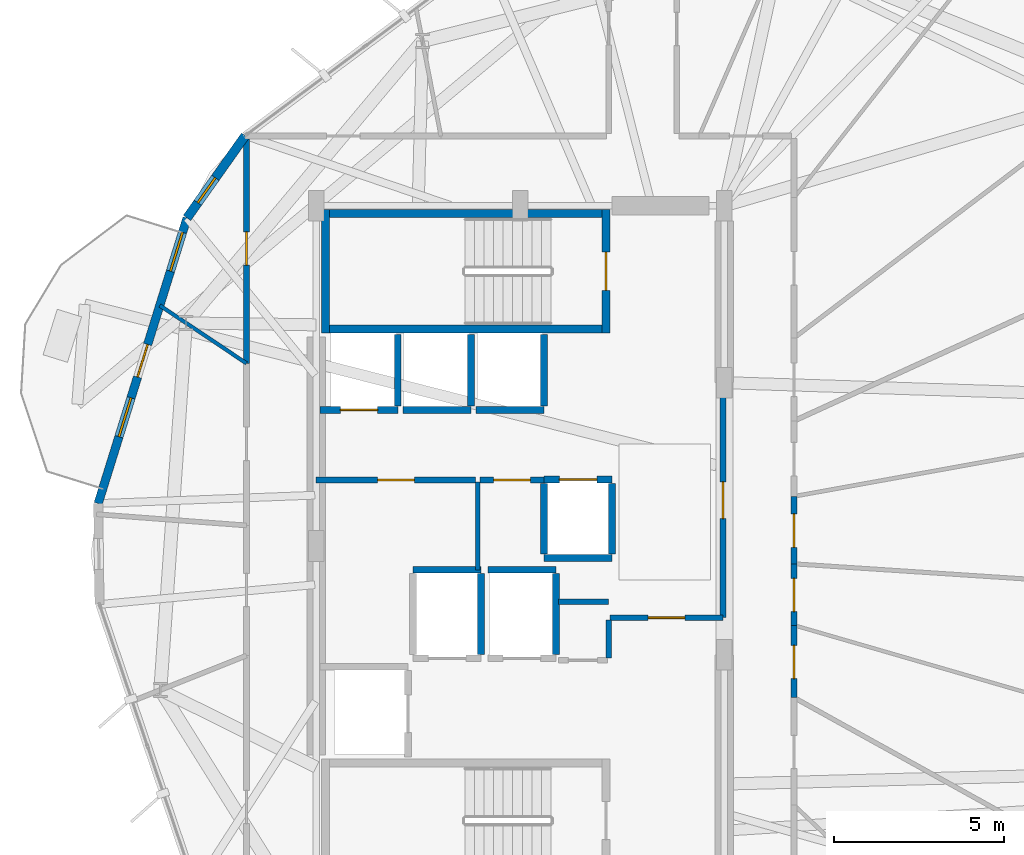
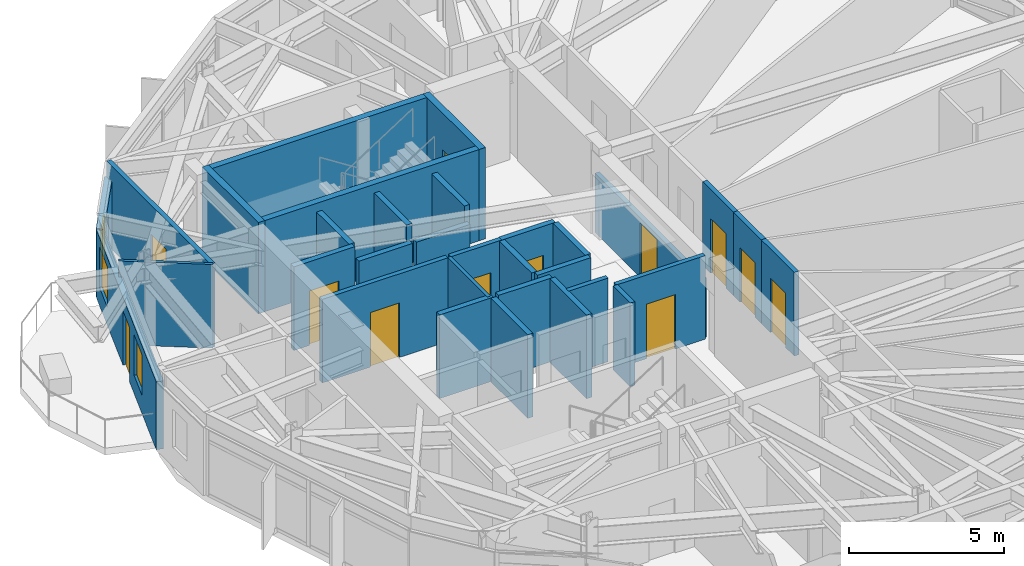
# One storey, part 22 of 27: 32 walls, 12 doors, 3 windows, 15 openings.
"""IFC4 building model written with IfcOpenShell, lengths in metres."""

from ifc_helpers import new_model, si_unit, direction, frame, frame_2d, origin, place, context, subcontext, project, spatial, rectangle, extrude, material, layer, layer_set, type_object, element, fill, save


model = new_model("IFC4")

# Units and contexts
model_context = context("Model", 3, precision=1e-05, world=origin(), true_north=direction((0.0, 1.0)))
body_context = subcontext(model_context, "Body", "Model", "MODEL_VIEW")
ifc_project = project(units=[si_unit("LENGTHUNIT", "METRE"), si_unit("AREAUNIT", "SQUARE_METRE"), si_unit("VOLUMEUNIT", "CUBIC_METRE"), si_unit("PLANEANGLEUNIT", "RADIAN"), si_unit("MASSUNIT", "GRAM", prefix="KILO")], contexts=[model_context])

# Site, building, storey
site_placement = place(None, origin())
site = spatial("IfcSite", under=ifc_project, at=site_placement, CompositionType="ELEMENT")
building_placement = place(site_placement, origin())
building = spatial("IfcBuilding", under=site, at=building_placement, Name="Soratama Intermodal Tower", CompositionType="ELEMENT")
storey_placement = place(building_placement, frame((0.0, 0.0, 167.800048828125)))
storey = spatial("IfcBuildingStorey", under=building, at=storey_placement, Name="L41", CompositionType="ELEMENT", Elevation=167.800048828125)

# Wall, openings, door, windows
ifc_material_1 = material(Name="Concrete f'c 42 MPa", Category="concrete")
ifc_layer_1 = layer(ifc_material_1, 0.25)
ifc_layer_set_1 = layer_set([ifc_layer_1], Name="Concrete f'c 42 MPa")
wall_type_1 = type_object("IfcWallType", Name="EW-BAL-250", PredefinedType="SOLIDWALL", material=ifc_layer_set_1)
wall_1_placement = place(storey_placement, frame((28.803955078125, 34.641845703125, 0.0), z_axis=(0.0, 0.0, 1.0), x_axis=(-0.297052486457, -0.954861152362, 0.0)))
wall_1 = element("IfcWall", 1, at=wall_1_placement, inside=storey, type_object=wall_type_1, Name="L41 Terrace Wall F04", PredefinedType="SOLIDWALL", context=body_context, shape_type="SweptSolid", body=[
    extrude(rectangle(XDim=8.79150390625, YDim=0.25, at=frame_2d((4.395751953125, 0.0))), origin(), (0.0, 0.0, 1.0), 2.678955078125),
])
opening_1_placement = place(wall_1_placement, frame((3.89599609375, 0.0, 0.0)))
opening_1 = element("IfcOpeningElement", 2, at=opening_1_placement, cuts=wall_1, Name="Opening ED-2", PredefinedType="OPENING", context=body_context, shape_type="SweptSolid", body=[
    extrude(rectangle(XDim=1.0, YDim=2.14990234375, at=frame_2d((0.5, 1.074951171875))), frame((0.0, 0.135009765625, 0.0), z_axis=(0.0, -1.0, 0.0), x_axis=(1.0, 0.0, 0.0)), (0.0, 0.0, 1.0), 0.27001953125),
])
opening_2_placement = place(wall_1_placement, frame((0.43994140625, 0.0, 0.719970703125)))
opening_2 = element("IfcOpeningElement", 3, at=opening_2_placement, cuts=wall_1, Name="Opening WN-2", PredefinedType="OPENING", context=body_context, shape_type="SweptSolid", body=[
    extrude(rectangle(XDim=1.199951171875, YDim=1.60009765625, at=frame_2d((0.60009765625, 0.800048828125))), frame((0.0, 0.135009765625, 0.0), z_axis=(0.0, -1.0, 0.0), x_axis=(1.0, 0.0, 0.0)), (0.0, 0.0, 1.0), 0.27001953125),
])
opening_3_placement = place(wall_1_placement, frame((5.535888671875, 0.0, 0.719970703125)))
opening_3 = element("IfcOpeningElement", 4, at=opening_3_placement, cuts=wall_1, Name="Opening WN-2", PredefinedType="OPENING", context=body_context, shape_type="SweptSolid", body=[
    extrude(rectangle(XDim=1.199951171875, YDim=1.60009765625, at=frame_2d((0.60009765625, 0.800048828125))), frame((0.0, 0.135009765625, 0.0), z_axis=(0.0, -1.0, 0.0), x_axis=(1.0, 0.0, 0.0)), (0.0, 0.0, 1.0), 0.27001953125),
])
ifc_material_2 = material(Name="Double-glazed aluminium door", Category="aluminium")
door_type_1 = type_object("IfcDoorType", Name="DR-BAL-1000", OperationType="NOTDEFINED", PredefinedType="DOOR", material=ifc_material_2)
door_1_placement = place(opening_1_placement, origin())
door_1 = element("IfcDoor", 5, at=door_1_placement, inside=storey, type_object=door_type_1, Name="L41 Balcony Door F04", OperationType="SINGLE_SWING_RIGHT", OverallHeight=2.14990234375, OverallWidth=1.0, PredefinedType="DOOR", context=body_context, shape_type="SweptSolid", body=[
    extrude(rectangle(XDim=1.0, YDim=2.14990234375, at=frame_2d((0.5, 1.074951171875))), frame((0.0, 0.02490234375, 0.0), z_axis=(0.0, -1.0, 0.0), x_axis=(1.0, 0.0, 0.0)), (0.0, 0.0, 1.0), 0.050048828125),
])
fill(opening_1, door_1)
ifc_material_3 = material(Name="Double-glazed aluminium window", Category="aluminium")
window_type_1 = type_object("IfcWindowType", Name="WN-FAC-1200", PartitioningType="SINGLE_PANEL", PredefinedType="WINDOW", material=ifc_material_3)
window_1_placement = place(opening_2_placement, origin())
window_1 = element("IfcWindow", 6, at=window_1_placement, inside=storey, type_object=window_type_1, Name="L41 Window A F04", OverallHeight=1.60009765625, OverallWidth=1.199951171875, PartitioningType="SINGLE_PANEL", PredefinedType="WINDOW", context=body_context, shape_type="SweptSolid", body=[
    extrude(rectangle(XDim=1.199951171875, YDim=1.60009765625, at=frame_2d((0.60009765625, 0.800048828125))), frame((0.0, 0.030029296875, 0.0), z_axis=(0.0, -1.0, 0.0), x_axis=(1.0, 0.0, 0.0)), (0.0, 0.0, 1.0), 0.06005859375),
])
fill(opening_2, window_1)
window_2_placement = place(opening_3_placement, origin())
window_2 = element("IfcWindow", 7, at=window_2_placement, inside=storey, type_object=window_type_1, Name="L41 Window B F04", OverallHeight=1.60009765625, OverallWidth=1.199951171875, PartitioningType="SINGLE_PANEL", PredefinedType="WINDOW", context=body_context, shape_type="SweptSolid", body=[
    extrude(rectangle(XDim=1.199951171875, YDim=1.60009765625, at=frame_2d((0.60009765625, 0.800048828125))), frame((0.0, 0.030029296875, 0.0), z_axis=(0.0, -1.0, 0.0), x_axis=(1.0, 0.0, 0.0)), (0.0, 0.0, 1.0), 0.06005859375),
])
fill(opening_3, window_2)

# Wall, opening, window
ifc_material_4 = material(Name="Concrete f'c 42 MPa", Category="concrete")
ifc_layer_2 = layer(ifc_material_4, 0.27001953125)
ifc_layer_set_2 = layer_set([ifc_layer_2], Name="Concrete f'c 42 MPa")
wall_type_2 = type_object("IfcWallType", Name="EW-CRN-270", PredefinedType="SOLIDWALL", material=ifc_layer_set_2)
wall_2_placement = place(storey_placement, frame((30.517333984375, 37.063720703125, 0.0), z_axis=(0.0, 0.0, 1.0), x_axis=(-0.577542313639, -0.816360751112, 0.0)))
wall_2 = element("IfcWall", 8, at=wall_2_placement, inside=storey, type_object=wall_type_2, Name="L41 Corner Closure Wall 03", PredefinedType="SOLIDWALL", context=body_context, shape_type="SweptSolid", body=[
    extrude(rectangle(XDim=2.966552734375, YDim=0.27001953125, at=frame_2d((1.4833984375, 0.0))), origin(), (0.0, 0.0, 1.0), 2.678955078125),
])
opening_4_placement = place(wall_2_placement, frame((1.519287109375, 0.0, 0.75)))
opening_4 = element("IfcOpeningElement", 9, at=opening_4_placement, cuts=wall_2, Name="Opening WN-6", PredefinedType="OPENING", context=body_context, shape_type="SweptSolid", body=[
    extrude(rectangle(XDim=0.89990234375, YDim=1.5, at=frame_2d((0.449951171875, 0.75))), frame((0.0, 0.14501953125, 0.0), z_axis=(0.0, -1.0, 0.0), x_axis=(1.0, 0.0, 0.0)), (0.0, 0.0, 1.0), 0.2900390625),
])
ifc_material_5 = material(Name="Double-glazed aluminium window", Category="aluminium")
window_type_2 = type_object("IfcWindowType", Name="WN-FAC-900", PartitioningType="SINGLE_PANEL", PredefinedType="WINDOW", material=ifc_material_5)
window_3_placement = place(opening_4_placement, origin())
window_3 = element("IfcWindow", 10, at=window_3_placement, inside=storey, type_object=window_type_2, Name="L41 Corner Window 03", OverallHeight=1.5, OverallWidth=0.89990234375, PartitioningType="SINGLE_PANEL", PredefinedType="WINDOW", context=body_context, shape_type="SweptSolid", body=[
    extrude(rectangle(XDim=0.89990234375, YDim=1.5, at=frame_2d((0.449951171875, 0.75))), frame((0.0, 0.030029296875, 0.0), z_axis=(0.0, -1.0, 0.0), x_axis=(1.0, 0.0, 0.0)), (0.0, 0.0, 1.0), 0.06005859375),
])
fill(opening_4, window_3)

# Wall, opening, door
ifc_material_6 = material(Name="Fire-rated gypsum stud partition", Category="concrete")
ifc_layer_3 = layer(ifc_material_6, 0.169921875)
ifc_layer_set_3 = layer_set([ifc_layer_3], Name="Fire-rated gypsum stud partition")
wall_type_3 = type_object("IfcWallType", Name="IW-PART-R170", PredefinedType="PARTITIONING", material=ifc_layer_set_3)
wall_3_placement = place(storey_placement, frame((44.56005859375, 29.800048828125, 0.0), z_axis=(0.0, 0.0, 1.0), x_axis=(0.0, -1.0, 0.0)))
wall_3 = element("IfcWall", 11, at=wall_3_placement, inside=storey, type_object=wall_type_3, Name="L41 Partition W-L41-TP012", PredefinedType="PARTITIONING", context=body_context, shape_type="SweptSolid", body=[
    extrude(rectangle(XDim=6.91015625, YDim=0.169921875, at=frame_2d((3.455078125, 0.0))), origin(), (0.0, 0.0, 1.0), 2.33984375),
])
opening_5_placement = place(wall_3_placement, frame((2.9150390625, 0.0, 0.0)))
opening_5 = element("IfcOpeningElement", 12, at=opening_5_placement, cuts=wall_3, Name="Opening ID-1", PredefinedType="OPENING", context=body_context, shape_type="SweptSolid", body=[
    extrude(rectangle(XDim=1.080078125, YDim=2.14990234375, at=frame_2d((0.5400390625, 1.074951171875))), frame((0.0, 0.094970703125, 0.0), z_axis=(0.0, -1.0, 0.0), x_axis=(1.0, 0.0, 0.0)), (0.0, 0.0, 1.0), 0.18994140625),
])
ifc_material_7 = material(Name="Solid hardwood acoustic door", Category="wood")
door_type_2 = type_object("IfcDoorType", Name="DR-LOB-FD60", OperationType="NOTDEFINED", PredefinedType="DOOR", material=ifc_material_7)
door_2_placement = place(opening_5_placement, origin())
door_2 = element("IfcDoor", 13, at=door_2_placement, inside=storey, type_object=door_type_2, Name="L41 Door D-L41-TP003", OperationType="SINGLE_SWING_RIGHT", OverallHeight=2.14990234375, OverallWidth=1.080078125, PredefinedType="DOOR", context=body_context, shape_type="SweptSolid", body=[
    extrude(rectangle(XDim=1.080078125, YDim=2.14990234375, at=frame_2d((0.5400390625, 1.074951171875))), frame((0.0, 0.02490234375, 0.0), z_axis=(0.0, -1.0, 0.0), x_axis=(1.0, 0.0, 0.0)), (0.0, 0.0, 1.0), 0.050048828125),
])
fill(opening_5, door_2)

wall_4_placement = place(storey_placement, frame((30.550048828125, 30.3701171875, 0.0), z_axis=(0.0, 0.0, 1.0), x_axis=(0.0, 1.0, 0.0)))
wall_4 = element("IfcWall", 14, at=wall_4_placement, inside=storey, type_object=wall_type_3, Name="L41 Partition W-L41-TP014", PredefinedType="PARTITIONING", context=body_context, shape_type="SweptSolid", body=[
    extrude(rectangle(XDim=6.7177734375, YDim=0.169921875, at=frame_2d((3.35888671875, 0.0))), origin(), (0.0, 0.0, 1.0), 3.300048828125),
])
opening_6_placement = place(wall_4_placement, frame((2.884033203125, 0.0, 0.0)))
opening_6 = element("IfcOpeningElement", 15, at=opening_6_placement, cuts=wall_4, Name="Opening ID-5", PredefinedType="OPENING", context=body_context, shape_type="SweptSolid", body=[
    extrude(rectangle(XDim=0.97998046875, YDim=2.14990234375, at=frame_2d((0.489990234375, 1.074951171875))), frame((0.0, 0.094970703125, 0.0), z_axis=(0.0, -1.0, 0.0), x_axis=(1.0, 0.0, 0.0)), (0.0, 0.0, 1.0), 0.18994140625),
])
ifc_material_8 = material(Name="Solid hardwood acoustic door", Category="wood")
door_type_3 = type_object("IfcDoorType", Name="DR-OFF-980", OperationType="NOTDEFINED", PredefinedType="DOOR", material=ifc_material_8)
door_3_placement = place(opening_6_placement, origin())
door_3 = element("IfcDoor", 16, at=door_3_placement, inside=storey, type_object=door_type_3, Name="L41 Door D-L41-TP004", OperationType="SINGLE_SWING_LEFT", OverallHeight=2.14990234375, OverallWidth=0.97998046875, PredefinedType="DOOR", context=body_context, shape_type="SweptSolid", body=[
    extrude(rectangle(XDim=0.97998046875, YDim=2.14990234375, at=frame_2d((0.489990234375, 1.074951171875))), frame((0.0, 0.02490234375, 0.0), z_axis=(0.0, -1.0, 0.0), x_axis=(1.0, 0.0, 0.0)), (0.0, 0.0, 1.0), 0.050048828125),
])
fill(opening_6, door_3)

wall_5_placement = place(storey_placement, frame((37.2900390625, 26.93994140625, 0.0), z_axis=(0.0, 0.0, 1.0), x_axis=(-1.0, 0.0, 0.0)))
wall_5 = element("IfcWall", 17, at=wall_5_placement, inside=storey, type_object=wall_type_3, Name="L41 Partition W-L41-TP023", PredefinedType="PARTITIONING", context=body_context, shape_type="SweptSolid", body=[
    extrude(rectangle(XDim=4.68994140625, YDim=0.169921875, at=frame_2d((2.344970703125, 0.0))), origin(), (0.0, 0.0, 1.0), 3.300048828125),
])
opening_7_placement = place(wall_5_placement, frame((1.804931640625, 0.0, 0.0)))
opening_7 = element("IfcOpeningElement", 18, at=opening_7_placement, cuts=wall_5, Name="Opening ID-1", PredefinedType="OPENING", context=body_context, shape_type="SweptSolid", body=[
    extrude(rectangle(XDim=1.080078125, YDim=2.14990234375, at=frame_2d((0.5400390625, 1.074951171875))), frame((0.0, 0.094970703125, 0.0), z_axis=(0.0, -1.0, 0.0), x_axis=(1.0, 0.0, 0.0)), (0.0, 0.0, 1.0), 0.18994140625),
])
door_4_placement = place(opening_7_placement, origin())
door_4 = element("IfcDoor", 19, at=door_4_placement, inside=storey, type_object=door_type_2, Name="L41 Door D-L41-TP011", OperationType="SINGLE_SWING_RIGHT", OverallHeight=2.14990234375, OverallWidth=1.080078125, PredefinedType="DOOR", context=body_context, shape_type="SweptSolid", body=[
    extrude(rectangle(XDim=1.080078125, YDim=2.14990234375, at=frame_2d((0.5400390625, 1.074951171875))), frame((0.0, 0.02490234375, 0.0), z_axis=(0.0, -1.0, 0.0), x_axis=(1.0, 0.0, 0.0)), (0.0, 0.0, 1.0), 0.050048828125),
])
fill(opening_7, door_4)

wall_6_placement = place(storey_placement, frame((41.239990234375, 22.889892578125, 0.0), z_axis=(0.0, 0.0, 1.0), x_axis=(1.0, 0.0, 0.0)))
wall_6 = element("IfcWall", 20, at=wall_6_placement, inside=storey, type_object=wall_type_3, Name="L41 Partition W-L41-TP030", PredefinedType="PARTITIONING", context=body_context, shape_type="SweptSolid", body=[
    extrude(rectangle(XDim=3.320068359375, YDim=0.169921875, at=frame_2d((1.66015625, 0.0))), origin(), (0.0, 0.0, 1.0), 3.300048828125),
])
opening_8_placement = place(wall_6_placement, frame((1.1201171875, 0.0, 0.0)))
opening_8 = element("IfcOpeningElement", 21, at=opening_8_placement, cuts=wall_6, Name="Opening ID-0", PredefinedType="OPENING", context=body_context, shape_type="SweptSolid", body=[
    extrude(rectangle(XDim=1.080078125, YDim=2.14990234375, at=frame_2d((0.5400390625, 1.074951171875))), frame((0.0, 0.094970703125, 0.0), z_axis=(0.0, -1.0, 0.0), x_axis=(1.0, 0.0, 0.0)), (0.0, 0.0, 1.0), 0.18994140625),
])
ifc_material_9 = material(Name="Solid hardwood acoustic door", Category="wood")
door_type_4 = type_object("IfcDoorType", Name="DR-LOB-FD90", OperationType="NOTDEFINED", PredefinedType="DOOR", material=ifc_material_9)
door_5_placement = place(opening_8_placement, origin())
door_5 = element("IfcDoor", 22, at=door_5_placement, inside=storey, type_object=door_type_4, Name="L41 Door D-L41-TP015", OperationType="SINGLE_SWING_RIGHT", OverallHeight=2.14990234375, OverallWidth=1.080078125, PredefinedType="DOOR", context=body_context, shape_type="SweptSolid", body=[
    extrude(rectangle(XDim=1.080078125, YDim=2.14990234375, at=frame_2d((0.5400390625, 1.074951171875))), frame((0.0, 0.02490234375, 0.0), z_axis=(0.0, -1.0, 0.0), x_axis=(1.0, 0.0, 0.0)), (0.0, 0.0, 1.0), 0.050048828125),
])
fill(opening_8, door_5)

wall_7_placement = place(storey_placement, frame((46.64990234375, 22.66796875, 0.0), z_axis=(0.0, 0.0, 1.0), x_axis=(0.0, -1.0, 0.0)))
wall_7 = element("IfcWall", 23, at=wall_7_placement, inside=storey, type_object=wall_type_3, Name="L41 Partition W-L41-TP043", PredefinedType="PARTITIONING", context=body_context, shape_type="SweptSolid", body=[
    extrude(rectangle(XDim=2.1259765625, YDim=0.169921875, at=frame_2d((1.06298828125, 0.0))), origin(), (0.0, 0.0, 1.0), 3.300048828125),
])
opening_9_placement = place(wall_7_placement, frame((0.587890625, 0.0, 0.0)))
opening_9 = element("IfcOpeningElement", 24, at=opening_9_placement, cuts=wall_7, Name="Opening ID-5", PredefinedType="OPENING", context=body_context, shape_type="SweptSolid", body=[
    extrude(rectangle(XDim=0.97998046875, YDim=2.14990234375, at=frame_2d((0.489990234375, 1.074951171875))), frame((0.0, 0.094970703125, 0.0), z_axis=(0.0, -1.0, 0.0), x_axis=(1.0, 0.0, 0.0)), (0.0, 0.0, 1.0), 0.18994140625),
])
door_6_placement = place(opening_9_placement, origin())
door_6 = element("IfcDoor", 25, at=door_6_placement, inside=storey, type_object=door_type_3, Name="L41 Door D-L41-TP021", OperationType="SINGLE_SWING_RIGHT", OverallHeight=2.14990234375, OverallWidth=0.97998046875, PredefinedType="DOOR", context=body_context, shape_type="SweptSolid", body=[
    extrude(rectangle(XDim=0.97998046875, YDim=2.14990234375, at=frame_2d((0.489990234375, 1.074951171875))), frame((0.0, 0.02490234375, 0.0), z_axis=(0.0, -1.0, 0.0), x_axis=(1.0, 0.0, 0.0)), (0.0, 0.0, 1.0), 0.050048828125),
])
fill(opening_9, door_6)

wall_8_placement = place(storey_placement, frame((46.64990234375, 26.4580078125, 0.0), z_axis=(0.0, 0.0, 1.0), x_axis=(0.0, -1.0, 0.0)))
wall_8 = element("IfcWall", 26, at=wall_8_placement, inside=storey, type_object=wall_type_3, Name="L41 Partition W-L41-TP044", PredefinedType="PARTITIONING", context=body_context, shape_type="SweptSolid", body=[
    extrude(rectangle(XDim=1.98388671875, YDim=0.169921875, at=frame_2d((0.991943359375, 0.0))), origin(), (0.0, 0.0, 1.0), 3.300048828125),
])
opening_10_placement = place(wall_8_placement, frame((0.51708984375, 0.0, 0.0)))
opening_10 = element("IfcOpeningElement", 27, at=opening_10_placement, cuts=wall_8, Name="Opening ID-5", PredefinedType="OPENING", context=body_context, shape_type="SweptSolid", body=[
    extrude(rectangle(XDim=0.97998046875, YDim=2.14990234375, at=frame_2d((0.489990234375, 1.074951171875))), frame((0.0, 0.094970703125, 0.0), z_axis=(0.0, -1.0, 0.0), x_axis=(1.0, 0.0, 0.0)), (0.0, 0.0, 1.0), 0.18994140625),
])
door_7_placement = place(opening_10_placement, origin())
door_7 = element("IfcDoor", 28, at=door_7_placement, inside=storey, type_object=door_type_3, Name="L41 Door D-L41-TP022", OperationType="SINGLE_SWING_LEFT", OverallHeight=2.14990234375, OverallWidth=0.97998046875, PredefinedType="DOOR", context=body_context, shape_type="SweptSolid", body=[
    extrude(rectangle(XDim=0.97998046875, YDim=2.14990234375, at=frame_2d((0.489990234375, 1.074951171875))), frame((0.0, 0.02490234375, 0.0), z_axis=(0.0, -1.0, 0.0), x_axis=(1.0, 0.0, 0.0)), (0.0, 0.0, 1.0), 0.050048828125),
])
fill(opening_10, door_7)

wall_9_placement = place(storey_placement, frame((39.300048828125, 26.93994140625, 0.0), z_axis=(0.0, 0.0, 1.0), x_axis=(-1.0, 0.0, 0.0)))
wall_9 = element("IfcWall", 29, at=wall_9_placement, inside=storey, type_object=wall_type_3, Name="L41 Partition W-L41-TP045", PredefinedType="PARTITIONING", context=body_context, shape_type="SweptSolid", body=[
    extrude(rectangle(XDim=1.89013671875, YDim=0.169921875, at=frame_2d((0.945068359375, 0.0))), origin(), (0.0, 0.0, 1.0), 3.300048828125),
])
opening_11_placement = place(wall_9_placement, frame((0.405029296875, 0.0, 0.0)))
opening_11 = element("IfcOpeningElement", 30, at=opening_11_placement, cuts=wall_9, Name="Opening ID-1", PredefinedType="OPENING", context=body_context, shape_type="SweptSolid", body=[
    extrude(rectangle(XDim=1.080078125, YDim=2.14990234375, at=frame_2d((0.5400390625, 1.074951171875))), frame((0.0, 0.094970703125, 0.0), z_axis=(0.0, -1.0, 0.0), x_axis=(1.0, 0.0, 0.0)), (0.0, 0.0, 1.0), 0.18994140625),
])
door_8_placement = place(opening_11_placement, origin())
door_8 = element("IfcDoor", 31, at=door_8_placement, inside=storey, type_object=door_type_2, Name="L41 Door D-L41-TP023", OperationType="SINGLE_SWING_RIGHT", OverallHeight=2.14990234375, OverallWidth=1.080078125, PredefinedType="DOOR", context=body_context, shape_type="SweptSolid", body=[
    extrude(rectangle(XDim=1.080078125, YDim=2.14990234375, at=frame_2d((0.5400390625, 1.074951171875))), frame((0.0, 0.02490234375, 0.0), z_axis=(0.0, -1.0, 0.0), x_axis=(1.0, 0.0, 0.0)), (0.0, 0.0, 1.0), 0.050048828125),
])
fill(opening_11, door_8)

wall_10_placement = place(storey_placement, frame((46.64990234375, 24.47412109375, 0.0), z_axis=(0.0, 0.0, 1.0), x_axis=(0.0, -1.0, 0.0)))
wall_10 = element("IfcWall", 32, at=wall_10_placement, inside=storey, type_object=wall_type_3, Name="L41 Partition W-L41-TP046", PredefinedType="PARTITIONING", context=body_context, shape_type="SweptSolid", body=[
    extrude(rectangle(XDim=1.80615234375, YDim=0.169921875, at=frame_2d((0.903076171875, 0.0))), origin(), (0.0, 0.0, 1.0), 3.300048828125),
])
opening_12_placement = place(wall_10_placement, frame((0.427978515625, 0.0, 0.0)))
opening_12 = element("IfcOpeningElement", 33, at=opening_12_placement, cuts=wall_10, Name="Opening ID-5", PredefinedType="OPENING", context=body_context, shape_type="SweptSolid", body=[
    extrude(rectangle(XDim=0.97998046875, YDim=2.14990234375, at=frame_2d((0.489990234375, 1.074951171875))), frame((0.0, 0.094970703125, 0.0), z_axis=(0.0, -1.0, 0.0), x_axis=(1.0, 0.0, 0.0)), (0.0, 0.0, 1.0), 0.18994140625),
])
door_9_placement = place(opening_12_placement, origin())
door_9 = element("IfcDoor", 34, at=door_9_placement, inside=storey, type_object=door_type_3, Name="L41 Door D-L41-TP024", OperationType="SINGLE_SWING_LEFT", OverallHeight=2.14990234375, OverallWidth=0.97998046875, PredefinedType="DOOR", context=body_context, shape_type="SweptSolid", body=[
    extrude(rectangle(XDim=0.97998046875, YDim=2.14990234375, at=frame_2d((0.489990234375, 1.074951171875))), frame((0.0, 0.02490234375, 0.0), z_axis=(0.0, -1.0, 0.0), x_axis=(1.0, 0.0, 0.0)), (0.0, 0.0, 1.0), 0.050048828125),
])
fill(opening_12, door_9)

# Walls
wall_11_placement = place(storey_placement, frame((41.199951171875, 21.699951171875, 0.0), z_axis=(0.0, 0.0, 1.0), x_axis=(0.0, 1.0, 0.0)))
element("IfcWall", 35, at=wall_11_placement, inside=storey, type_object=wall_type_3, Name="L41 Partition W-L41-TP049", PredefinedType="PARTITIONING", context=body_context, shape_type="SweptSolid", body=[
    extrude(rectangle(XDim=1.1201171875, YDim=0.169921875, at=frame_2d((0.56005859375, 0.0))), origin(), (0.0, 0.0, 1.0), 3.300048828125),
])
wall_12_placement = place(storey_placement, frame((41.199951171875, 23.360107421875, 0.0), z_axis=(0.0, 0.0, 1.0), x_axis=(-1.0, 0.0, 0.0)))
element("IfcWall", 36, at=wall_12_placement, inside=storey, type_object=wall_type_3, Name="L41 Partition W-L41-TP052", PredefinedType="PARTITIONING", context=body_context, shape_type="SweptSolid", body=[
    extrude(rectangle(XDim=1.47998046875, YDim=0.169921875, at=frame_2d((0.739990234375, 0.0))), origin(), (0.0, 0.0, 1.0), 3.300048828125),
])
ifc_material_10 = material(Name="Fire-rated gypsum stud partition", Category="concrete")
ifc_layer_4 = layer(ifc_material_10, 0.110107421875)
ifc_layer_set_4 = layer_set([ifc_layer_4], Name="Fire-rated gypsum stud partition")
wall_type_4 = type_object("IfcWallType", Name="IW-PART-S110", PredefinedType="PARTITIONING", material=ifc_layer_set_4)
wall_13_placement = place(storey_placement, frame((30.550048828125, 30.3701171875, 0.0), z_axis=(0.0, 0.0, 1.0), x_axis=(-0.831669772262, 0.555270555591, 0.0)))
element("IfcWall", 37, at=wall_13_placement, inside=storey, type_object=wall_type_4, Name="L41 Partition W-L41-TP032", PredefinedType="PARTITIONING", context=body_context, shape_type="SweptSolid", body=[
    extrude(rectangle(XDim=3.0615234375, YDim=0.110107421875, at=frame_2d((1.53076171875, 0.0))), origin(), (0.0, 0.0, 1.0), 3.300048828125),
])
ifc_material_11 = material(Name="Fire-rated gypsum stud partition", Category="concrete")
ifc_layer_5 = layer(ifc_material_11, 0.1298828125)
ifc_layer_set_5 = layer_set([ifc_layer_5], Name="Fire-rated gypsum stud partition")
wall_type_5 = type_object("IfcWallType", Name="IW-PART-S130", PredefinedType="PARTITIONING", material=ifc_layer_set_5)
wall_14_placement = place(storey_placement, frame((37.35009765625, 26.8798828125, 0.0), z_axis=(0.0, 0.0, 1.0), x_axis=(0.0, -1.0, 0.0)))
element("IfcWall", 38, at=wall_14_placement, inside=storey, type_object=wall_type_5, Name="L41 Partition W-L41-TP035", PredefinedType="PARTITIONING", context=body_context, shape_type="SweptSolid", body=[
    extrude(rectangle(XDim=2.579833984375, YDim=0.1298828125, at=frame_2d((1.2900390625, 0.0))), origin(), (0.0, 0.0, 1.0), 3.300048828125),
])
ifc_material_12 = material(Name="Concrete f'c 42 MPa", Category="concrete")
ifc_layer_6 = layer(ifc_material_12, 0.199951171875)
ifc_layer_set_6 = layer_set([ifc_layer_6], Name="Concrete f'c 42 MPa")
wall_type_6 = type_object("IfcWallType", Name="IW-SHAFT-200", PredefinedType="SOLIDWALL", material=ifc_layer_set_6)
wall_15_placement = place(storey_placement, frame((35.449951171875, 24.300048828125, 0.0), z_axis=(0.0, 0.0, 1.0), x_axis=(1.0, 0.0, 0.0)))
element("IfcWall", 39, at=wall_15_placement, inside=storey, type_object=wall_type_6, Name="L41 FFL-1 Hoistway Wall N", PredefinedType="SOLIDWALL", context=body_context, shape_type="SweptSolid", body=[
    extrude(rectangle(XDim=2.0, YDim=0.199951171875, at=frame_2d((1.0, 0.0))), origin(), (0.0, 0.0, 1.0), 3.300048828125),
])
wall_16_placement = place(storey_placement, frame((37.449951171875, 21.81005859375, 0.0), z_axis=(0.0, 0.0, 1.0), x_axis=(0.0, 1.0, 0.0)))
element("IfcWall", 40, at=wall_16_placement, inside=storey, type_object=wall_type_6, Name="L41 FFL-1 Hoistway Wall E", PredefinedType="SOLIDWALL", context=body_context, shape_type="SweptSolid", body=[
    extrude(rectangle(XDim=2.3798828125, YDim=0.199951171875, at=frame_2d((1.18994140625, 0.0))), origin(), (0.0, 0.0, 1.0), 3.300048828125),
])
wall_17_placement = place(storey_placement, frame((37.64990234375, 24.300048828125, 0.0), z_axis=(0.0, 0.0, 1.0), x_axis=(1.0, 0.0, 0.0)))
element("IfcWall", 41, at=wall_17_placement, inside=storey, type_object=wall_type_6, Name="L41 FFL-2 Hoistway Wall N", PredefinedType="SOLIDWALL", context=body_context, shape_type="SweptSolid", body=[
    extrude(rectangle(XDim=2.0, YDim=0.199951171875, at=frame_2d((1.0, 0.0))), origin(), (0.0, 0.0, 1.0), 3.300048828125),
])
wall_18_placement = place(storey_placement, frame((39.64990234375, 21.81005859375, 0.0), z_axis=(0.0, 0.0, 1.0), x_axis=(0.0, 1.0, 0.0)))
element("IfcWall", 42, at=wall_18_placement, inside=storey, type_object=wall_type_6, Name="L41 FFL-2 Hoistway Wall E", PredefinedType="SOLIDWALL", context=body_context, shape_type="SweptSolid", body=[
    extrude(rectangle(XDim=2.3798828125, YDim=0.199951171875, at=frame_2d((1.18994140625, 0.0))), origin(), (0.0, 0.0, 1.0), 3.300048828125),
])
wall_19_placement = place(storey_placement, frame((39.300048828125, 24.64990234375, 0.0), z_axis=(0.0, 0.0, 1.0), x_axis=(1.0, 0.0, 0.0)))
element("IfcWall", 43, at=wall_19_placement, inside=storey, type_object=wall_type_6, Name="L41 PL-M1 Hoistway Wall S", PredefinedType="SOLIDWALL", context=body_context, shape_type="SweptSolid", body=[
    extrude(rectangle(XDim=2.0, YDim=0.199951171875, at=frame_2d((1.0, 0.0))), origin(), (0.0, 0.0, 1.0), 3.300048828125),
])

# Wall, opening, door
wall_20_placement = place(storey_placement, frame((39.300048828125, 26.949951171875, 0.0), z_axis=(0.0, 0.0, 1.0), x_axis=(1.0, 0.0, 0.0)))
wall_20 = element("IfcWall", 44, at=wall_20_placement, inside=storey, type_object=wall_type_6, Name="L41 PL-M1 Hoistway Wall N", PredefinedType="SOLIDWALL", context=body_context, shape_type="SweptSolid", body=[
    extrude(rectangle(XDim=2.0, YDim=0.199951171875, at=frame_2d((1.0, 0.0))), origin(), (0.0, 0.0, 1.0), 3.300048828125),
])
opening_13_placement = place(wall_20_placement, frame((0.449951171875, 0.0, 0.0)))
opening_13 = element("IfcOpeningElement", 45, at=opening_13_placement, cuts=wall_20, Name="Opening LD-1", PredefinedType="OPENING", context=body_context, shape_type="SweptSolid", body=[
    extrude(rectangle(XDim=1.10009765625, YDim=2.14990234375, at=frame_2d((0.550048828125, 1.074951171875))), frame((0.0, 0.10986328125, 0.0), z_axis=(0.0, -1.0, 0.0), x_axis=(1.0, 0.0, 0.0)), (0.0, 0.0, 1.0), 0.219970703125),
])
ifc_material_13 = material(Name="Steel fire door", Category="steel")
door_type_5 = type_object("IfcDoorType", Name="DR-LIFT-SLIDE", OperationType="NOTDEFINED", PredefinedType="DOOR", material=ifc_material_13)
door_10_placement = place(opening_13_placement, origin())
door_10 = element("IfcDoor", 46, at=door_10_placement, inside=storey, type_object=door_type_5, Name="L41 PL-M1 Sliding Landing Door", OperationType="SLIDING_TO_LEFT", OverallHeight=2.14990234375, OverallWidth=1.10009765625, PredefinedType="DOOR", context=body_context, shape_type="SweptSolid", body=[
    extrude(rectangle(XDim=1.10009765625, YDim=2.14990234375, at=frame_2d((0.550048828125, 1.074951171875))), frame((0.0, 0.02490234375, 0.0), z_axis=(0.0, -1.0, 0.0), x_axis=(1.0, 0.0, 0.0)), (0.0, 0.0, 1.0), 0.050048828125),
])
fill(opening_13, door_10)

# Walls
for number, where, z_axis, x_axis, name in (
    (47, (39.300048828125, 24.760009765625, 0.0), (0.0, 0.0, 1.0), (0.0, 1.0, 0.0), "L41 PL-M1 Hoistway Wall W"),
    (48, (41.300048828125, 24.760009765625, 0.0), (0.0, 0.0, 1.0), (0.0, 1.0, 0.0), "L41 PL-M1 Hoistway Wall E"),
):
    element("IfcWall", number, at=place(storey_placement, frame(where, z_axis=z_axis, x_axis=x_axis)), inside=storey, type_object=wall_type_6, Name=name, PredefinedType="SOLIDWALL", context=body_context, shape_type="SweptSolid", body=[
        extrude(rectangle(XDim=2.080078125, YDim=0.199951171875, at=frame_2d((1.0400390625, 0.0))), origin(), (0.0, 0.0, 1.0), 3.300048828125),
    ])

# Wall, opening, door
wall_21_placement = place(storey_placement, frame((32.719970703125, 29.0, 0.0), z_axis=(0.0, 0.0, 1.0), x_axis=(1.0, 0.0, 0.0)))
wall_21 = element("IfcWall", 49, at=wall_21_placement, inside=storey, type_object=wall_type_6, Name="L41 PL-M2 Hoistway Wall S", PredefinedType="SOLIDWALL", context=body_context, shape_type="SweptSolid", body=[
    extrude(rectangle(XDim=2.280029296875, YDim=0.199951171875, at=frame_2d((1.14013671875, 0.0))), origin(), (0.0, 0.0, 1.0), 3.300048828125),
])
opening_14_placement = place(wall_21_placement, frame((0.590087890625, 0.0, 0.0)))
opening_14 = element("IfcOpeningElement", 50, at=opening_14_placement, cuts=wall_21, Name="Opening LD-1", PredefinedType="OPENING", context=body_context, shape_type="SweptSolid", body=[
    extrude(rectangle(XDim=1.10009765625, YDim=2.14990234375, at=frame_2d((0.550048828125, 1.074951171875))), frame((0.0, 0.10986328125, 0.0), z_axis=(0.0, -1.0, 0.0), x_axis=(1.0, 0.0, 0.0)), (0.0, 0.0, 1.0), 0.219970703125),
])
door_11_placement = place(opening_14_placement, origin())
door_11 = element("IfcDoor", 51, at=door_11_placement, inside=storey, type_object=door_type_5, Name="L41 PL-M2 Sliding Landing Door", OperationType="SLIDING_TO_LEFT", OverallHeight=2.14990234375, OverallWidth=1.10009765625, PredefinedType="DOOR", context=body_context, shape_type="SweptSolid", body=[
    extrude(rectangle(XDim=1.10009765625, YDim=2.14990234375, at=frame_2d((0.550048828125, 1.074951171875))), frame((0.0, 0.02490234375, 0.0), z_axis=(0.0, -1.0, 0.0), x_axis=(1.0, 0.0, 0.0)), (0.0, 0.0, 1.0), 0.050048828125),
])
fill(opening_14, door_11)

# Walls
wall_22_placement = place(storey_placement, frame((35.0, 29.110107421875, 0.0), z_axis=(0.0, 0.0, 1.0), x_axis=(0.0, 1.0, 0.0)))
element("IfcWall", 52, at=wall_22_placement, inside=storey, type_object=wall_type_6, Name="L41 PL-M2 Hoistway Wall E", PredefinedType="SOLIDWALL", context=body_context, shape_type="SweptSolid", body=[
    extrude(rectangle(XDim=2.099853515625, YDim=0.199951171875, at=frame_2d((1.0498046875, 0.0))), origin(), (0.0, 0.0, 1.0), 3.300048828125),
])
wall_23_placement = place(storey_placement, frame((35.14990234375, 29.0, 0.0), z_axis=(0.0, 0.0, 1.0), x_axis=(1.0, 0.0, 0.0)))
element("IfcWall", 53, at=wall_23_placement, inside=storey, type_object=wall_type_6, Name="L41 PL-H1 Hoistway Wall S", PredefinedType="SOLIDWALL", context=body_context, shape_type="SweptSolid", body=[
    extrude(rectangle(XDim=2.0, YDim=0.199951171875, at=frame_2d((1.0, 0.0))), origin(), (0.0, 0.0, 1.0), 2.674072265625),
])
wall_24_placement = place(storey_placement, frame((37.14990234375, 29.110107421875, 0.0), z_axis=(0.0, 0.0, 1.0), x_axis=(0.0, 1.0, 0.0)))
element("IfcWall", 54, at=wall_24_placement, inside=storey, type_object=wall_type_6, Name="L41 PL-H1 Hoistway Wall E", PredefinedType="SOLIDWALL", context=body_context, shape_type="SweptSolid", body=[
    extrude(rectangle(XDim=2.099853515625, YDim=0.199951171875, at=frame_2d((1.0498046875, 0.0))), origin(), (0.0, 0.0, 1.0), 3.300048828125),
])
wall_25_placement = place(storey_placement, frame((37.300048828125, 29.0, 0.0), z_axis=(0.0, 0.0, 1.0), x_axis=(1.0, 0.0, 0.0)))
element("IfcWall", 55, at=wall_25_placement, inside=storey, type_object=wall_type_6, Name="L41 PL-H2 Hoistway Wall S", PredefinedType="SOLIDWALL", context=body_context, shape_type="SweptSolid", body=[
    extrude(rectangle(XDim=2.0, YDim=0.199951171875, at=frame_2d((1.0, 0.0))), origin(), (0.0, 0.0, 1.0), 2.674072265625),
])
wall_26_placement = place(storey_placement, frame((39.300048828125, 29.110107421875, 0.0), z_axis=(0.0, 0.0, 1.0), x_axis=(0.0, 1.0, 0.0)))
element("IfcWall", 56, at=wall_26_placement, inside=storey, type_object=wall_type_6, Name="L41 PL-H2 Hoistway Wall E", PredefinedType="SOLIDWALL", context=body_context, shape_type="SweptSolid", body=[
    extrude(rectangle(XDim=2.099853515625, YDim=0.199951171875, at=frame_2d((1.0498046875, 0.0))), origin(), (0.0, 0.0, 1.0), 3.300048828125),
])
ifc_material_14 = material(Name="Concrete f'c 56 MPa", Category="concrete")
ifc_layer_7 = layer(ifc_material_14, 0.239990234375)
ifc_layer_set_7 = layer_set([ifc_layer_7], Name="Concrete f'c 56 MPa")
wall_type_7 = type_object("IfcWallType", Name="SW-STAIR-240", PredefinedType="SHEAR", material=ifc_layer_set_7)
wall_27_placement = place(storey_placement, frame((32.8798828125, 31.260009765625, 0.0), z_axis=(0.0, 0.0, 1.0), x_axis=(0.0, 1.0, 0.0)))
element("IfcWall", 57, at=wall_27_placement, inside=storey, type_object=wall_type_7, Name="L41 ST-2 Shaft Shear Wall W", PredefinedType="SHEAR", context=body_context, shape_type="SweptSolid", body=[
    extrude(rectangle(XDim=3.6298828125, YDim=0.239990234375, at=frame_2d((1.81494140625, 0.0))), origin(), (0.0, 0.0, 1.0), 3.599853515625),
])

# Wall, opening, door
wall_28_placement = place(storey_placement, frame((41.1201171875, 31.260009765625, 0.0), z_axis=(0.0, 0.0, 1.0), x_axis=(0.0, 1.0, 0.0)))
wall_28 = element("IfcWall", 58, at=wall_28_placement, inside=storey, type_object=wall_type_7, Name="L41 ST-2 Shaft Shear Wall E", PredefinedType="SHEAR", context=body_context, shape_type="SweptSolid", body=[
    extrude(rectangle(XDim=3.6298828125, YDim=0.239990234375, at=frame_2d((1.81494140625, 0.0))), origin(), (0.0, 0.0, 1.0), 3.599853515625),
])
opening_15_placement = place(wall_28_placement, frame((1.2548828125, 0.0, 0.0)))
opening_15 = element("IfcOpeningElement", 59, at=opening_15_placement, cuts=wall_28, Name="Opening SD-1", PredefinedType="OPENING", context=body_context, shape_type="SweptSolid", body=[
    extrude(rectangle(XDim=1.1201171875, YDim=2.14990234375, at=frame_2d((0.56005859375, 1.074951171875))), frame((0.0, 0.1298828125, 0.0), z_axis=(0.0, -1.0, 0.0), x_axis=(1.0, 0.0, 0.0)), (0.0, 0.0, 1.0), 0.260009765625),
])
ifc_material_15 = material(Name="Steel fire door", Category="steel")
door_type_6 = type_object("IfcDoorType", Name="DR-STAIR-FD90", OperationType="NOTDEFINED", PredefinedType="DOOR", material=ifc_material_15)
door_12_placement = place(opening_15_placement, origin())
door_12 = element("IfcDoor", 60, at=door_12_placement, inside=storey, type_object=door_type_6, Name="L41 ST-2 Exit Stair Door", OperationType="SINGLE_SWING_RIGHT", OverallHeight=2.14990234375, OverallWidth=1.1201171875, PredefinedType="DOOR", context=body_context, shape_type="SweptSolid", body=[
    extrude(rectangle(XDim=1.1201171875, YDim=2.14990234375, at=frame_2d((0.56005859375, 1.074951171875))), frame((0.0, 0.02490234375, 0.0), z_axis=(0.0, -1.0, 0.0), x_axis=(1.0, 0.0, 0.0)), (0.0, 0.0, 1.0), 0.050048828125),
])
fill(opening_15, door_12)

# Walls
for number, where, z_axis, x_axis, name in (
    (61, (33.0, 31.3798828125, 0.0), (0.0, 0.0, 1.0), (1.0, 0.0, 0.0), "L41 ST-2 Shaft Shear Wall S"),
    (62, (33.0, 34.77001953125, 0.0), (0.0, 0.0, 1.0), (1.0, 0.0, 0.0), "L41 ST-2 Shaft Shear Wall N"),
):
    element("IfcWall", number, at=place(storey_placement, frame(where, z_axis=z_axis, x_axis=x_axis)), inside=storey, type_object=wall_type_7, Name=name, PredefinedType="SHEAR", context=body_context, shape_type="SweptSolid", body=[
        extrude(rectangle(XDim=8.0, YDim=0.239990234375, at=frame_2d((4.0, 0.0))), origin(), (0.0, 0.0, 1.0), 3.599853515625),
    ])

save(model, "model.ifc")
